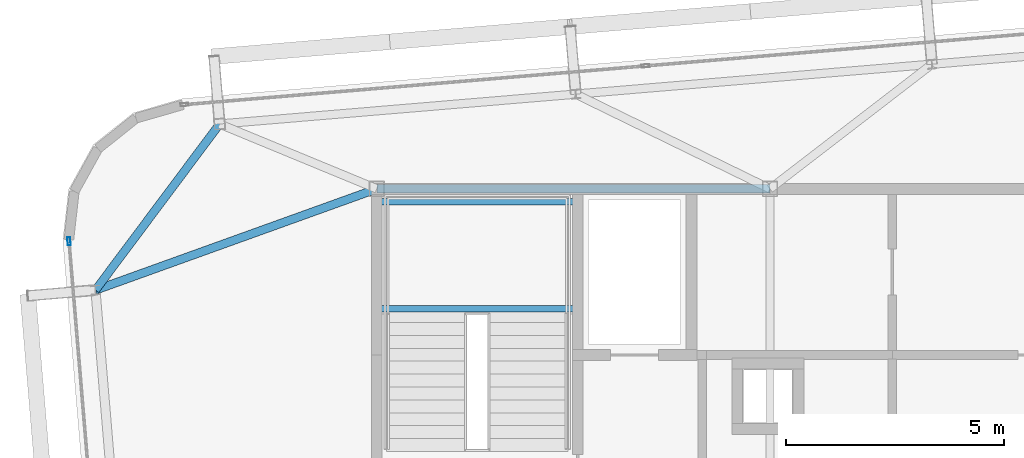
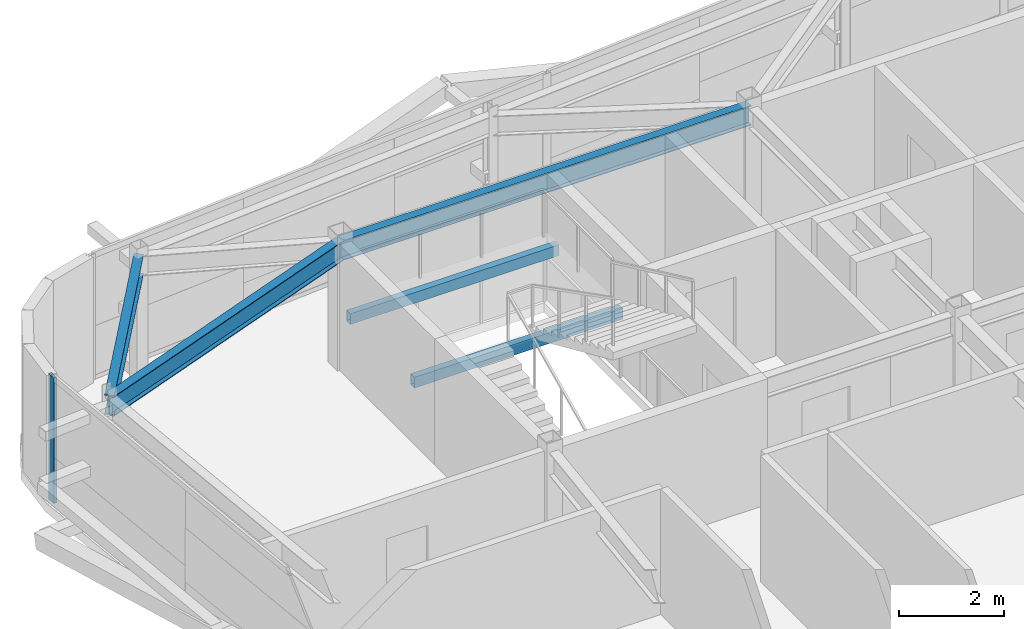
# One storey, part 14 of 39: 5 beams, 1 member, 1 element without a shape of its own.
"""IFC4 building model written with IfcOpenShell, lengths in metres."""

from ifc_helpers import new_model, si_unit, direction, frame, origin, origin_2d, place, context, subcontext, project, spatial, hollow_rectangle, i_section, extrude, source, transform, mapped, material, layer, layer_set, material_profile, profile_set, type_object, element, aggregate, save


model = new_model("IFC4")

# Units and contexts
model_context = context("Model", 3, precision=1e-05, world=origin(), true_north=direction((0.0, 1.0)))
body_context = subcontext(model_context, "Body", "Model", "MODEL_VIEW")
ifc_project = project(units=[si_unit("LENGTHUNIT", "METRE"), si_unit("AREAUNIT", "SQUARE_METRE"), si_unit("VOLUMEUNIT", "CUBIC_METRE"), si_unit("PLANEANGLEUNIT", "RADIAN"), si_unit("MASSUNIT", "GRAM", prefix="KILO")], contexts=[model_context])

# Site, building, storey
site_placement = place(None, origin())
site = spatial("IfcSite", under=ifc_project, at=site_placement, CompositionType="ELEMENT")
building_placement = place(site_placement, origin())
building = spatial("IfcBuilding", under=site, at=building_placement, Name="Taldren Reach Tower", CompositionType="ELEMENT")
storey_placement = place(building_placement, frame((0.0, 0.0, 197.75)))
storey = spatial("IfcBuildingStorey", under=building, at=storey_placement, Name="L60", CompositionType="ELEMENT", Elevation=197.75)

# Beams
ifc_material_1 = material(Name="Steel Gr 350 (350PLUS)", Category="steel")
ifc_material_profile_1 = material_profile(ifc_material_1, i_section(OverallWidth=0.19091796875, OverallDepth=0.4599609375, WebThickness=0.010009765625, FlangeThickness=0.01611328125, at=origin_2d()), Name="460UB82.1")
ifc_profile_set_1 = profile_set([ifc_material_profile_1], Name="Steel Gr 350 (350PLUS)")
beam_type_1 = type_object("IfcBeamType", Name="BM-UB460A", PredefinedType="BEAM", material=ifc_profile_set_1)
shared_shape_1 = source(origin(), body_context, "Body", "SweptSolid", [
    extrude(i_section(OverallWidth=0.19091796875, OverallDepth=0.4599609375, WebThickness=0.010009765625, FlangeThickness=0.01611328125, at=origin_2d()), origin(), (0.0, 0.0, 1.0), 9.0),
])
beam_1_placement = place(storey_placement, frame((19.0, 32.0, 2.699951171875), z_axis=(1.0, 0.0, 0.0), x_axis=(0.0, 1.0, 0.0)))
element("IfcBeam", 1, at=beam_1_placement, inside=storey, type_object=beam_type_1, Name="Core-spine girder L60-SP04", PredefinedType="BEAM", context=body_context, shape_type="MappedRepresentation", body=[
    mapped(shared_shape_1, transform((0.0, 0.0, 0.0), scale=1.0)),
])
ifc_material_profile_2 = material_profile(ifc_material_1, i_section(OverallWidth=0.18994140625, OverallDepth=0.4541015625, WebThickness=0.008544921875, FlangeThickness=0.0126953125, at=origin_2d()), Name="460UB67.1")
ifc_profile_set_2 = profile_set([ifc_material_profile_2], Name="Steel Gr 350 (350PLUS)")
beam_type_2 = type_object("IfcBeamType", Name="SP-UB460B", PredefinedType="SPANDREL", material=ifc_profile_set_2)
shared_shape_2 = source(origin(), body_context, "Body", "SweptSolid", [
    extrude(i_section(OverallWidth=0.18994140625, OverallDepth=0.4541015625, WebThickness=0.008544921875, FlangeThickness=0.0126953125, at=origin_2d()), origin(), (0.0, 0.0, 1.0), 4.74609375),
])
beam_2_placement = place(storey_placement, frame((15.40380859375, 33.483642578125, 2.702880859375), z_axis=(-0.598764719121, -0.800924972226, 0.0), x_axis=(0.800924972226, -0.598764719121, 0.0)))
element("IfcBeam", 2, at=beam_2_placement, inside=storey, type_object=beam_type_2, Name="Perimeter spandrel B4 N1-W3 L60", PredefinedType="SPANDREL", context=body_context, shape_type="MappedRepresentation", body=[
    mapped(shared_shape_2, transform((0.0, 0.0, 0.0), scale=1.0)),
])
shared_shape_3 = source(origin(), body_context, "Body", "SweptSolid", [
    extrude(i_section(OverallWidth=0.19091796875, OverallDepth=0.4599609375, WebThickness=0.010009765625, FlangeThickness=0.01611328125, at=origin_2d()), origin(), (0.0, 0.0, 1.0), 6.842529296875),
])
beam_3_placement = place(storey_placement, frame((19.0, 32.0, 2.699951171875), z_axis=(-0.940889686088, -0.33871315093, 0.0), x_axis=(0.33871315093, -0.940889686088, 0.0)))
element("IfcBeam", 3, at=beam_3_placement, inside=storey, type_object=beam_type_1, Name="Primary floor girder B4-W3 L60", PredefinedType="BEAM", context=body_context, shape_type="MappedRepresentation", body=[
    mapped(shared_shape_3, transform((0.0, 0.0, 0.0), scale=1.0)),
])

# Curtain wall, member
ifc_material_2 = material(Name="Aluminium and Low-E Glass Unitised System", Category="aluminium")
ifc_layer = layer(ifc_material_2, 0.159912109375)
ifc_layer_set = layer_set([ifc_layer], Name="Aluminium and Low-E Glass Unitised System")
curtain_wall_type = type_object("IfcCurtainWallType", Name="CW-SYS-5", PredefinedType="NOTDEFINED", material=ifc_layer_set)
curtain_wall_placement = place(storey_placement, origin())
curtain_wall = element("IfcCurtainWall", 4, at=curtain_wall_placement, inside=storey, type_object=curtain_wall_type, Name="Unitised curtain wall CW-L60-W", PredefinedType="NOTDEFINED")
ifc_material_3 = material(Name="Anodised Aluminium 6063-T6", Category="aluminium")
ifc_material_profile_3 = material_profile(ifc_material_3, hollow_rectangle(XDim=0.070068359375, YDim=0.179931640625, WallThickness=0.00390625, at=origin_2d()), Name="ALU-180x70x4RHS")
ifc_profile_set_3 = profile_set([ifc_material_profile_3], Name="Anodised Aluminium 6063-T6")
member_type = type_object("IfcMemberType", Name="CW-MUL-180", PredefinedType="MULLION", material=ifc_profile_set_3)
shared_shape_4 = source(origin(), body_context, "Body", "SweptSolid", [
    extrude(hollow_rectangle(XDim=0.070068359375, YDim=0.179931640625, WallThickness=0.00390625, at=origin_2d()), origin(), (0.0, 0.0, 1.0), 2.929931640625),
])
member_placement = place(storey_placement, frame((11.956298828125, 30.800537109375, 0.0), z_axis=(0.0, 0.0, 1.0), x_axis=(0.996492847789, 0.083677979808, 0.0)))
member = element("IfcMember", 5, at=member_placement, type_object=member_type, Name="CW-5 mullion 1", PredefinedType="MULLION", context=body_context, shape_type="MappedRepresentation", body=[
    mapped(shared_shape_4, transform((0.0, 0.0, 0.0), scale=1.0)),
])
aggregate(curtain_wall, [member])

# Beams
ifc_material_4 = material(Name="Steel Gr 350 (C350L0)", Category="steel")
ifc_material_profile_4 = material_profile(ifc_material_4, hollow_rectangle(XDim=0.14990234375, YDim=0.25, WallThickness=0.009033203125, at=origin_2d()), Name="250x150x9.0RHS")
ifc_profile_set_4 = profile_set([ifc_material_profile_4], Name="Steel Gr 350 (C350L0)")
beam_type_3 = type_object("IfcBeamType", Name="LN-RHS250", PredefinedType="LINTEL", material=ifc_profile_set_4)
shared_shape_5 = source(origin(), body_context, "Body", "SweptSolid", [
    extrude(hollow_rectangle(XDim=0.14990234375, YDim=0.25, WallThickness=0.009033203125, at=origin_2d()), origin(), (0.0, 0.0, 1.0), 4.60009765625),
])
for number, where, z_axis, x_axis, name in (
    (6, (19.0, 29.2548828125, 1.27001953125), (1.0, 0.0, 0.0), (0.0, 1.0, 0.0), "Stair half-landing support beam ST1-L60-1"),
    (7, (19.0, 31.699951171875, 1.27001953125), (1.0, 0.0, 0.0), (0.0, 1.0, 0.0), "Stair half-landing support beam ST1-L60-2"),
):
    element("IfcBeam", number, at=place(storey_placement, frame(where, z_axis=z_axis, x_axis=x_axis)), inside=storey, type_object=beam_type_3, Name=name, PredefinedType="LINTEL", context=body_context, shape_type="MappedRepresentation", body=[
        mapped(shared_shape_5, transform((0.0, 0.0, 0.0), scale=1.0)),
    ])

save(model, "model.ifc")
